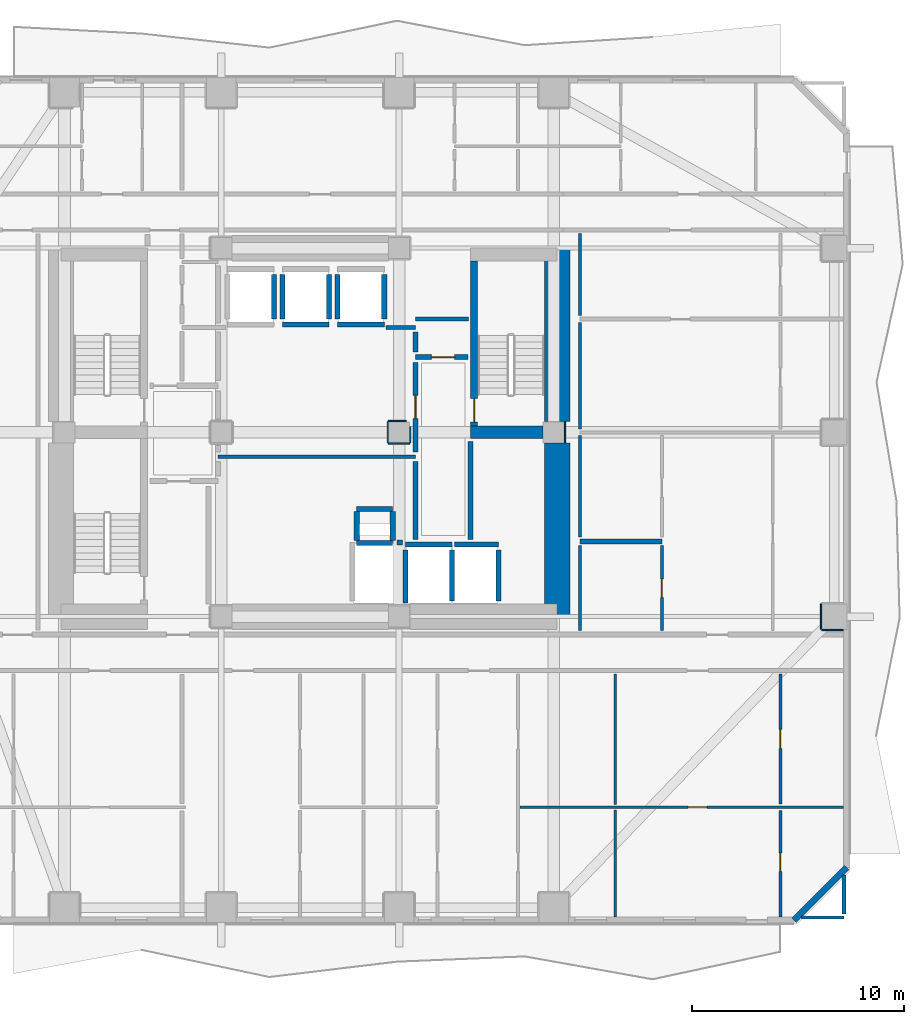
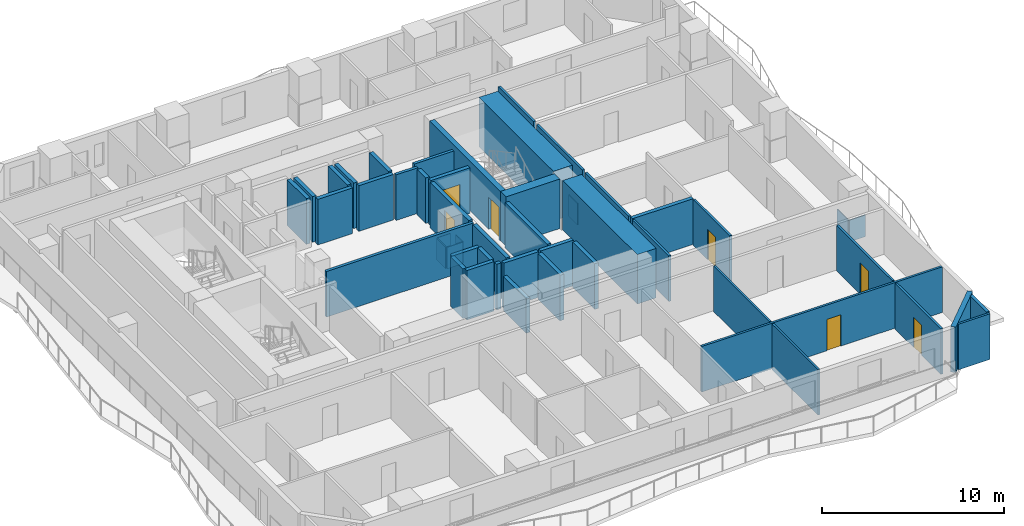
# One storey, part 4 of 10: 50 walls, 7 doors, 7 openings.
"""IFC4 building model written with IfcOpenShell, lengths in metres."""

from ifc_helpers import new_model, si_unit, direction, frame, frame_2d, origin, place, context, subcontext, project, spatial, rectangle, extrude, material, layer, layer_set, type_object, element, fill, save


model = new_model("IFC4")

# Units and contexts
model_context = context("Model", 3, precision=1e-05, world=origin(), true_north=direction((0.0, 1.0)))
body_context = subcontext(model_context, "Body", "Model", "MODEL_VIEW")
ifc_project = project(units=[si_unit("LENGTHUNIT", "METRE"), si_unit("AREAUNIT", "SQUARE_METRE"), si_unit("VOLUMEUNIT", "CUBIC_METRE"), si_unit("PLANEANGLEUNIT", "RADIAN"), si_unit("MASSUNIT", "GRAM", prefix="KILO")], contexts=[model_context])

# Site, building, storey
site_placement = place(None, origin())
site = spatial("IfcSite", under=ifc_project, at=site_placement, CompositionType="ELEMENT")
building_placement = place(site_placement, origin())
building = spatial("IfcBuilding", under=site, at=building_placement, Name="Solanera Arch Residences", CompositionType="ELEMENT")
storey_placement = place(building_placement, frame((0.0, 0.0, 45.239990234375)))
storey = spatial("IfcBuildingStorey", under=building, at=storey_placement, Name="L12", CompositionType="ELEMENT", Elevation=45.239990234375)

# Walls
ifc_material_1 = material(Name="Fire-Rated Gypsum Stud Partition", Category="gypsum")
ifc_layer_1 = layer(ifc_material_1, 0.06005859375)
ifc_layer_set_1 = layer_set([ifc_layer_1], Name="Fire-Rated Gypsum Stud Partition")
wall_type_1 = type_object("IfcWallType", Name="Column Acoustic Furring Wall 60", PredefinedType="PARTITIONING", material=ifc_layer_set_1)
wall_1_placement = place(storey_placement, frame((37.031982421875, 30.2099609375, 0.0), z_axis=(0.0, 0.0, 1.0), x_axis=(0.0, 1.0, 0.0)))
element("IfcWall", 1, at=wall_1_placement, inside=storey, type_object=wall_type_1, Name="L12 Column Furring 6E", PredefinedType="PARTITIONING", context=body_context, shape_type="SweptSolid", body=[
    extrude(rectangle(XDim=0.97998046875, YDim=0.06005859375, at=frame_2d((0.489990234375, 0.0))), origin(), (0.0, 0.0, 1.0), 1.449951171875),
])
wall_2_placement = place(storey_placement, frame((28.699951171875, 30.16796875, 0.0), z_axis=(0.0, 0.0, 1.0), x_axis=(1.0, 0.0, 0.0)))
element("IfcWall", 2, at=wall_2_placement, inside=storey, type_object=wall_type_1, Name="L12 Column Furring 8S", PredefinedType="PARTITIONING", context=body_context, shape_type="SweptSolid", body=[
    extrude(rectangle(XDim=1.0, YDim=0.06005859375, at=frame_2d((0.5, 0.0))), origin(), (0.0, 0.0, 1.0), 1.449951171875),
])
wall_3_placement = place(storey_placement, frame((28.699951171875, 31.23193359375, 0.0), z_axis=(0.0, 0.0, 1.0), x_axis=(1.0, 0.0, 0.0)))
element("IfcWall", 3, at=wall_3_placement, inside=storey, type_object=wall_type_1, Name="L12 Column Furring 8N", PredefinedType="PARTITIONING", context=body_context, shape_type="SweptSolid", body=[
    extrude(rectangle(XDim=0.841064453125, YDim=0.06005859375, at=frame_2d((0.42041015625, 0.0))), origin(), (0.0, 0.0, 1.0), 1.449951171875),
])
wall_4_placement = place(storey_placement, frame((28.66796875, 30.199951171875, 0.0), z_axis=(0.0, 0.0, 1.0), x_axis=(0.0, 1.0, 0.0)))
element("IfcWall", 4, at=wall_4_placement, inside=storey, type_object=wall_type_1, Name="L12 Column Furring 8W", PredefinedType="PARTITIONING", context=body_context, shape_type="SweptSolid", body=[
    extrude(rectangle(XDim=1.0, YDim=0.06005859375, at=frame_2d((0.5, 0.0))), origin(), (0.0, 0.0, 1.0), 1.449951171875),
])
wall_5_placement = place(storey_placement, frame((29.73193359375, 30.199951171875, 0.0), z_axis=(0.0, 0.0, 1.0), x_axis=(0.0, 1.0, 0.0)))
element("IfcWall", 5, at=wall_5_placement, inside=storey, type_object=wall_type_1, Name="L12 Column Furring 8E", PredefinedType="PARTITIONING", context=body_context, shape_type="SweptSolid", body=[
    extrude(rectangle(XDim=0.77197265625, YDim=0.06005859375, at=frame_2d((0.385986328125, 0.0))), origin(), (0.0, 0.0, 1.0), 1.449951171875),
])
wall_6_placement = place(storey_placement, frame((49.14990234375, 21.367919921875, 0.0), z_axis=(0.0, 0.0, 1.0), x_axis=(1.0, 0.0, 0.0)))
element("IfcWall", 6, at=wall_6_placement, inside=storey, type_object=wall_type_1, Name="L12 Column Furring 18S", PredefinedType="PARTITIONING", context=body_context, shape_type="SweptSolid", body=[
    extrude(rectangle(XDim=1.02001953125, YDim=0.06005859375, at=frame_2d((0.510009765625, 0.0))), origin(), (0.0, 0.0, 1.0), 1.449951171875),
])
wall_7_placement = place(storey_placement, frame((49.117919921875, 21.39990234375, 0.0), z_axis=(0.0, 0.0, 1.0), x_axis=(0.0, 1.0, 0.0)))
element("IfcWall", 7, at=wall_7_placement, inside=storey, type_object=wall_type_1, Name="L12 Column Furring 18W", PredefinedType="PARTITIONING", context=body_context, shape_type="SweptSolid", body=[
    extrude(rectangle(XDim=1.2001953125, YDim=0.06005859375, at=frame_2d((0.60009765625, 0.0))), origin(), (0.0, 0.0, 1.0), 1.449951171875),
])
ifc_material_2 = material(Name="Concrete C55/67 (f'c = 60 MPa)", Category="concrete")
ifc_layer_2 = layer(ifc_material_2, 1.199951171875)
ifc_layer_set_2 = layer_set([ifc_layer_2], Name="Concrete C55/67 (f'c = 60 MPa)")
wall_type_2 = type_object("IfcWallType", Name="Core Shear Wall CW-1200", PredefinedType="SHEAR", material=ifc_layer_set_2)
wall_8_placement = place(storey_placement, frame((36.659912109375, 22.0, 0.0), z_axis=(0.0, 0.0, 1.0), x_axis=(0.0, 1.0, 0.0)))
element("IfcWall", 8, at=wall_8_placement, inside=storey, type_object=wall_type_2, Name="L12 East Core South Shear Wall", PredefinedType="SHEAR", context=body_context, shape_type="SweptSolid", body=[
    extrude(rectangle(XDim=8.195068359375, YDim=1.199951171875, at=frame_2d((4.09765625, 0.0))), origin(), (0.0, 0.0, 1.0), 3.320068359375),
])
wall_9_placement = place(storey_placement, frame((36.659912109375, 31.205078125, 0.0), z_axis=(0.0, 0.0, 1.0), x_axis=(0.0, 1.0, 0.0)))
element("IfcWall", 9, at=wall_9_placement, inside=storey, type_object=wall_type_2, Name="L12 East Core North Shear Wall", PredefinedType="SHEAR", context=body_context, shape_type="SweptSolid", body=[
    extrude(rectangle(XDim=8.19482421875, YDim=1.199951171875, at=frame_2d((4.097412109375, 0.0))), origin(), (0.0, 0.0, 1.0), 3.320068359375),
])

# Wall, opening, door
ifc_material_3 = material(Name="Concrete C40/50 (f'c = 45 MPa)", Category="concrete")
ifc_layer_3 = layer(ifc_material_3, 0.320068359375)
ifc_layer_set_3 = layer_set([ifc_layer_3], Name="Concrete C40/50 (f'c = 45 MPa)")
wall_type_3 = type_object("IfcWallType", Name="Core Shear Wall CW-320", PredefinedType="SHEAR", material=ifc_layer_set_3)
wall_10_placement = place(storey_placement, frame((32.739990234375, 31.0, 0.0), z_axis=(0.0, 0.0, 1.0), x_axis=(0.0, 1.0, 0.0)))
wall_10 = element("IfcWall", 10, at=wall_10_placement, inside=storey, type_object=wall_type_3, Name="L12 Stair ST-T2 West Shear Wall", PredefinedType="SHEAR", context=body_context, shape_type="SweptSolid", body=[
    extrude(rectangle(XDim=7.800048828125, YDim=0.320068359375, at=frame_2d((3.89990234375, 0.0))), origin(), (0.0, 0.0, 1.0), 3.320068359375),
])
opening_1_placement = place(wall_10_placement, frame((0.18994140625, 0.0, 0.0)))
opening_1 = element("IfcOpeningElement", 11, at=opening_1_placement, cuts=wall_10, Name="Opening DF-01", PredefinedType="OPENING", context=body_context, shape_type="SweptSolid", body=[
    extrude(rectangle(XDim=1.10009765625, YDim=2.14990234375, at=frame_2d((0.550048828125, 1.074951171875))), frame((0.0, 0.169921875, 0.0), z_axis=(0.0, -1.0, 0.0), x_axis=(1.0, 0.0, 0.0)), (0.0, 0.0, 1.0), 0.3401),
])
ifc_material_4 = material(Name="Fire-Rated Architectural Hardwood", Category="wood")
door_type_1 = type_object("IfcDoorType", Name="Stair Exit Fire Door DF-01", OperationType="NOTDEFINED", PredefinedType="DOOR", material=ifc_material_4)
door_1_placement = place(opening_1_placement, origin())
door_1 = element("IfcDoor", 12, at=door_1_placement, inside=storey, type_object=door_type_1, Name="DR-L12-STAIR-ST-T2", OperationType="SINGLE_SWING_LEFT", OverallHeight=2.14990234375, OverallWidth=1.10009765625, PredefinedType="DOOR", context=body_context, shape_type="SweptSolid", body=[
    extrude(rectangle(XDim=1.10009765625, YDim=2.14990234375, at=frame_2d((0.550048828125, 1.074951171875))), frame((0.0, 0.02490234375, 0.0), z_axis=(0.0, -1.0, 0.0), x_axis=(1.0, 0.0, 0.0)), (0.0, 0.0, 1.0), 0.050048828125),
])
fill(opening_1, door_1)

# Walls
ifc_material_5 = material(Name="Concrete C40/50 (f'c = 45 MPa)", Category="concrete")
ifc_layer_4 = layer(ifc_material_5, 0.60009765625)
ifc_layer_set_4 = layer_set([ifc_layer_4], Name="Concrete C40/50 (f'c = 45 MPa)")
wall_type_4 = type_object("IfcWallType", Name="Core Shear Wall CW-600", PredefinedType="SHEAR", material=ifc_layer_set_4)
wall_11_placement = place(storey_placement, frame((32.580078125, 30.699951171875, 0.0), z_axis=(0.0, 0.0, 1.0), x_axis=(1.0, 0.0, 0.0)))
element("IfcWall", 13, at=wall_11_placement, inside=storey, type_object=wall_type_4, Name="L12 East Stair Far-Landing Shear Wall", PredefinedType="SHEAR", context=body_context, shape_type="SweptSolid", body=[
    extrude(rectangle(XDim=3.4150390625, YDim=0.60009765625, at=frame_2d((1.70751953125, 0.0))), origin(), (0.0, 0.0, 1.0), 3.320068359375),
])
ifc_material_6 = material(Name="Autoclaved Aerated Concrete Blockwork", Category="masonry")
ifc_layer_5 = layer(ifc_material_6, 0.179931640625)
ifc_layer_set_5 = layer_set([ifc_layer_5], Name="Autoclaved Aerated Concrete Blockwork")
wall_type_5 = type_object("IfcWallType", Name="Corridor Fire Partition 180", PredefinedType="PARTITIONING", material=ifc_layer_set_5)
wall_12_placement = place(storey_placement, frame((20.64990234375, 29.550048828125, 0.0), z_axis=(0.0, 0.0, 1.0), x_axis=(1.0, 0.0, 0.0)))
element("IfcWall", 14, at=wall_12_placement, inside=storey, type_object=wall_type_5, Name="L12 Interior Partition H8", PredefinedType="PARTITIONING", context=body_context, shape_type="SweptSolid", body=[
    extrude(rectangle(XDim=9.3251953125, YDim=0.179931640625, at=frame_2d((4.66259765625, 0.0))), origin(), (0.0, 0.0, 1.0), 3.06005859375),
])
wall_13_placement = place(storey_placement, frame((28.593017578125, 35.64990234375, 0.0), z_axis=(0.0, 0.0, 1.0), x_axis=(1.0, 0.0, 0.0)))
element("IfcWall", 15, at=wall_13_placement, inside=storey, type_object=wall_type_5, Name="L12 Interior Partition H9 2", PredefinedType="PARTITIONING", context=body_context, shape_type="SweptSolid", body=[
    extrude(rectangle(XDim=1.382080078125, YDim=0.179931640625, at=frame_2d((0.69091796875, 0.0))), origin(), (0.0, 0.0, 1.0), 3.06005859375),
])
wall_14_placement = place(storey_placement, frame((29.97509765625, 36.050048828125, 0.0), z_axis=(0.0, 0.0, 1.0), x_axis=(1.0, 0.0, 0.0)))
element("IfcWall", 16, at=wall_14_placement, inside=storey, type_object=wall_type_5, Name="L12 Interior Partition H10", PredefinedType="PARTITIONING", context=body_context, shape_type="SweptSolid", body=[
    extrude(rectangle(XDim=2.5048828125, YDim=0.179931640625, at=frame_2d((1.25244140625, 0.0))), origin(), (0.0, 0.0, 1.0), 3.06005859375),
])
wall_15_placement = place(storey_placement, frame((50.199951171875, 7.968017578125, 0.0), z_axis=(0.0, 0.0, 1.0), x_axis=(0.0, 1.0, 0.0)))
element("IfcWall", 17, at=wall_15_placement, inside=storey, type_object=wall_type_5, Name="L12 Interior Partition V11 1", PredefinedType="PARTITIONING", context=body_context, shape_type="SweptSolid", body=[
    extrude(rectangle(XDim=1.8330078125, YDim=0.179931640625, at=frame_2d((0.91650390625, 0.0))), origin(), (0.0, 0.0, 1.0), 3.06005859375),
])
ifc_material_7 = material(Name="Precast Concrete C35/45", Category="concrete")
ifc_layer_6 = layer(ifc_material_7, 0.300048828125)
ifc_layer_set_6 = layer_set([ifc_layer_6], Name="Precast Concrete C35/45")
wall_type_6 = type_object("IfcWallType", Name="Exterior Wall Precast Masonry-Frame 300", PredefinedType="STANDARD", material=ifc_layer_set_6)
wall_16_placement = place(storey_placement, frame((50.3349609375, 10.1650390625, 0.0), z_axis=(0.0, 0.0, 1.0), x_axis=(-0.707106781187, -0.707106781187, 0.0)))
element("IfcWall", 18, at=wall_16_placement, inside=storey, type_object=wall_type_6, Name="L12 Tower Exterior Precast Masonry-Frame Wall CH5", PredefinedType="STANDARD", context=body_context, shape_type="SweptSolid", body=[
    extrude(rectangle(XDim=3.53564453125, YDim=0.300048828125, at=frame_2d((1.767822265625, 0.0))), origin(), (0.0, 0.0, 1.0), 3.06005859375),
])
ifc_material_8 = material(Name="Concrete C40/50 (f'c = 45 MPa)", Category="concrete")
ifc_layer_7 = layer(ifc_material_8, 0.239990234375)
ifc_layer_set_7 = layer_set([ifc_layer_7], Name="Concrete C40/50 (f'c = 45 MPa)")
wall_type_7 = type_object("IfcWallType", Name="Ramp Bearing Shear Wall RW-240", PredefinedType="SHEAR", material=ifc_layer_set_7)
for number, where, z_axis, x_axis, name in (
    (19, (27.199951171875, 25.47998046875, 0.0), (0.0, 0.0, 1.0), (1.0, 0.0, 0.0), "L12 Core MEP Riser South Shaft Wall"),
    (20, (27.199951171875, 27.080078125, 0.0), (0.0, 0.0, 1.0), (1.0, 0.0, 0.0), "L12 Core MEP Riser North Shaft Wall"),
):
    element("IfcWall", number, at=place(storey_placement, frame(where, z_axis=z_axis, x_axis=x_axis)), inside=storey, type_object=wall_type_7, Name=name, PredefinedType="SHEAR", context=body_context, shape_type="SweptSolid", body=[
        extrude(rectangle(XDim=1.699951171875, YDim=0.239990234375, at=frame_2d((0.85009765625, 0.0))), origin(), (0.0, 0.0, 1.0), 3.320068359375),
    ])
for number, where, z_axis, x_axis, name in (
    (21, (27.199951171875, 25.60009765625, 0.0), (0.0, 0.0, 1.0), (0.0, 1.0, 0.0), "L12 Core MEP Riser West Shaft Wall"),
    (22, (28.89990234375, 25.60009765625, 0.0), (0.0, 0.0, 1.0), (0.0, 1.0, 0.0), "L12 Core MEP Riser East Shaft Wall"),
):
    element("IfcWall", number, at=place(storey_placement, frame(where, z_axis=z_axis, x_axis=x_axis)), inside=storey, type_object=wall_type_7, Name=name, PredefinedType="SHEAR", context=body_context, shape_type="SweptSolid", body=[
        extrude(rectangle(XDim=1.35986328125, YDim=0.239990234375, at=frame_2d((0.679931640625, 0.0))), origin(), (0.0, 0.0, 1.0), 3.320068359375),
    ])
ifc_material_9 = material(Name="Autoclaved Aerated Concrete Blockwork", Category="masonry")
ifc_layer_8 = layer(ifc_material_9, 0.239990234375)
ifc_layer_set_8 = layer_set([ifc_layer_8], Name="Autoclaved Aerated Concrete Blockwork")
wall_type_8 = type_object("IfcWallType", Name="Shaft Wall Fire-Rated 240", PredefinedType="PARTITIONING", material=ifc_layer_set_8)
wall_17_placement = place(storey_placement, frame((23.300048828125, 36.048095703125, 0.0), z_axis=(0.0, 0.0, 1.0), x_axis=(0.0, 1.0, 0.0)))
element("IfcWall", 23, at=wall_17_placement, inside=storey, type_object=wall_type_8, Name="L12 Lift PL-L1 Hoistway Wall E", PredefinedType="PARTITIONING", context=body_context, shape_type="SweptSolid", body=[
    extrude(rectangle(XDim=2.10400390625, YDim=0.239990234375, at=frame_2d((1.052001953125, 0.0))), origin(), (0.0, 0.0, 1.0), 3.06005859375),
])
wall_18_placement = place(storey_placement, frame((23.699951171875, 35.800048828125, 0.0), z_axis=(0.0, 0.0, 1.0), x_axis=(1.0, 0.0, 0.0)))
element("IfcWall", 24, at=wall_18_placement, inside=storey, type_object=wall_type_8, Name="L12 Lift PL-L2 Hoistway Wall S", PredefinedType="PARTITIONING", context=body_context, shape_type="SweptSolid", body=[
    extrude(rectangle(XDim=2.199951171875, YDim=0.239990234375, at=frame_2d((1.10009765625, 0.0))), origin(), (0.0, 0.0, 1.0), 3.06005859375),
])
for number, where, z_axis, x_axis, name in (
    (25, (23.699951171875, 36.048095703125, 0.0), (0.0, 0.0, 1.0), (0.0, 1.0, 0.0), "L12 Lift PL-L2 Hoistway Wall W"),
    (26, (25.89990234375, 36.048095703125, 0.0), (0.0, 0.0, 1.0), (0.0, 1.0, 0.0), "L12 Lift PL-L2 Hoistway Wall E"),
):
    element("IfcWall", number, at=place(storey_placement, frame(where, z_axis=z_axis, x_axis=x_axis)), inside=storey, type_object=wall_type_8, Name=name, PredefinedType="PARTITIONING", context=body_context, shape_type="SweptSolid", body=[
        extrude(rectangle(XDim=2.10400390625, YDim=0.239990234375, at=frame_2d((1.052001953125, 0.0))), origin(), (0.0, 0.0, 1.0), 3.06005859375),
    ])
wall_19_placement = place(storey_placement, frame((26.300048828125, 35.800048828125, 0.0), z_axis=(0.0, 0.0, 1.0), x_axis=(1.0, 0.0, 0.0)))
element("IfcWall", 27, at=wall_19_placement, inside=storey, type_object=wall_type_8, Name="L12 Lift PL-L3 Hoistway Wall S", PredefinedType="PARTITIONING", context=body_context, shape_type="SweptSolid", body=[
    extrude(rectangle(XDim=2.199951171875, YDim=0.239990234375, at=frame_2d((1.10009765625, 0.0))), origin(), (0.0, 0.0, 1.0), 3.06005859375),
])
for number, where, z_axis, x_axis, name in (
    (28, (26.300048828125, 36.048095703125, 0.0), (0.0, 0.0, 1.0), (0.0, 1.0, 0.0), "L12 Lift PL-L3 Hoistway Wall W"),
    (29, (28.5, 36.048095703125, 0.0), (0.0, 0.0, 1.0), (0.0, 1.0, 0.0), "L12 Lift PL-L3 Hoistway Wall E"),
):
    element("IfcWall", number, at=place(storey_placement, frame(where, z_axis=z_axis, x_axis=x_axis)), inside=storey, type_object=wall_type_8, Name=name, PredefinedType="PARTITIONING", context=body_context, shape_type="SweptSolid", body=[
        extrude(rectangle(XDim=2.10400390625, YDim=0.239990234375, at=frame_2d((1.052001953125, 0.0))), origin(), (0.0, 0.0, 1.0), 3.06005859375),
    ])
wall_20_placement = place(storey_placement, frame((29.5, 25.39990234375, 0.0), z_axis=(0.0, 0.0, 1.0), x_axis=(1.0, 0.0, 0.0)))
element("IfcWall", 30, at=wall_20_placement, inside=storey, type_object=wall_type_8, Name="L12 Lift FFL-1 Hoistway Wall N", PredefinedType="PARTITIONING", context=body_context, shape_type="SweptSolid", body=[
    extrude(rectangle(XDim=2.199951171875, YDim=0.239990234375, at=frame_2d((1.10009765625, 0.0))), origin(), (0.0, 0.0, 1.0), 3.06005859375),
])
wall_21_placement = place(storey_placement, frame((29.5, 22.632080078125, 0.0), z_axis=(0.0, 0.0, 1.0), x_axis=(0.0, 1.0, 0.0)))
element("IfcWall", 31, at=wall_21_placement, inside=storey, type_object=wall_type_8, Name="L12 Lift FFL-1 Hoistway Wall W", PredefinedType="PARTITIONING", context=body_context, shape_type="SweptSolid", body=[
    extrude(rectangle(XDim=2.52001953125, YDim=0.239990234375, at=frame_2d((1.260009765625, 0.0))), origin(), (0.0, 0.0, 1.0), 2.294921875),
])
wall_22_placement = place(storey_placement, frame((31.699951171875, 22.72998046875, 0.0), z_axis=(0.0, 0.0, 1.0), x_axis=(0.0, 1.0, 0.0)))
element("IfcWall", 32, at=wall_22_placement, inside=storey, type_object=wall_type_8, Name="L12 Lift FFL-1 Hoistway Wall E", PredefinedType="PARTITIONING", context=body_context, shape_type="SweptSolid", body=[
    extrude(rectangle(XDim=2.422119140625, YDim=0.239990234375, at=frame_2d((1.2109375, 0.0))), origin(), (0.0, 0.0, 1.0), 3.06005859375),
])
wall_23_placement = place(storey_placement, frame((31.827880859375, 25.39990234375, 0.0), z_axis=(0.0, 0.0, 1.0), x_axis=(1.0, 0.0, 0.0)))
element("IfcWall", 33, at=wall_23_placement, inside=storey, type_object=wall_type_8, Name="L12 Lift FFL-2 Hoistway Wall N", PredefinedType="PARTITIONING", context=body_context, shape_type="SweptSolid", body=[
    extrude(rectangle(XDim=2.072021484375, YDim=0.239990234375, at=frame_2d((1.0361328125, 0.0))), origin(), (0.0, 0.0, 1.0), 3.06005859375),
])
wall_24_placement = place(storey_placement, frame((33.89990234375, 22.72998046875, 0.0), z_axis=(0.0, 0.0, 1.0), x_axis=(0.0, 1.0, 0.0)))
element("IfcWall", 34, at=wall_24_placement, inside=storey, type_object=wall_type_8, Name="L12 Lift FFL-2 Hoistway Wall E", PredefinedType="PARTITIONING", context=body_context, shape_type="SweptSolid", body=[
    extrude(rectangle(XDim=2.422119140625, YDim=0.239990234375, at=frame_2d((1.2109375, 0.0))), origin(), (0.0, 0.0, 1.0), 3.06005859375),
])
wall_25_placement = place(storey_placement, frame((29.10302734375, 25.5, 0.0), z_axis=(0.0, 0.0, 1.0), x_axis=(1.0, 0.0, 0.0)))
element("IfcWall", 35, at=wall_25_placement, inside=storey, type_object=wall_type_8, Name="L12 Lift SVL-1 Hoistway Wall N", PredefinedType="PARTITIONING", context=body_context, shape_type="SweptSolid", body=[
    extrude(rectangle(XDim=0.26904296875, YDim=0.239990234375, at=frame_2d((0.134521484375, 0.0))), origin(), (0.0, 0.0, 1.0), 3.06005859375),
])
wall_26_placement = place(storey_placement, frame((37.75, 25.550048828125, 0.0), z_axis=(0.0, 0.0, 1.0), x_axis=(1.0, 0.0, 0.0)))
element("IfcWall", 36, at=wall_26_placement, inside=storey, type_object=wall_type_8, Name="L12 Interior Partition H3", PredefinedType="PARTITIONING", context=body_context, shape_type="SweptSolid", body=[
    extrude(rectangle(XDim=3.860107421875, YDim=0.239990234375, at=frame_2d((1.93017578125, 0.0))), origin(), (0.0, 0.0, 1.0), 3.06005859375),
])

# Wall, opening, door
wall_27_placement = place(storey_placement, frame((29.97509765625, 34.25, 0.0), z_axis=(0.0, 0.0, 1.0), x_axis=(1.0, 0.0, 0.0)))
wall_27 = element("IfcWall", 37, at=wall_27_placement, inside=storey, type_object=wall_type_8, Name="L12 Interior Partition H6", PredefinedType="PARTITIONING", context=body_context, shape_type="SweptSolid", body=[
    extrude(rectangle(XDim=2.474853515625, YDim=0.239990234375, at=frame_2d((1.2373046875, 0.0))), origin(), (0.0, 0.0, 1.0), 3.06005859375),
])
opening_2_placement = place(wall_27_placement, frame((0.751953125, 0.0, 0.0)))
opening_2 = element("IfcOpeningElement", 38, at=opening_2_placement, cuts=wall_27, Name="Opening DF-02", PredefinedType="OPENING", context=body_context, shape_type="SweptSolid", body=[
    extrude(rectangle(XDim=1.10009765625, YDim=2.14990234375, at=frame_2d((0.550048828125, 1.074951171875))), frame((0.0, 0.1298828125, 0.0), z_axis=(0.0, -1.0, 0.0), x_axis=(1.0, 0.0, 0.0)), (0.0, 0.0, 1.0), 0.26),
])
ifc_material_10 = material(Name="Fire-Rated Architectural Hardwood", Category="wood")
door_type_2 = type_object("IfcDoorType", Name="Firefighting Lobby Fire Door DF-02", OperationType="NOTDEFINED", PredefinedType="DOOR", material=ifc_material_10)
door_2_placement = place(opening_2_placement, origin())
door_2 = element("IfcDoor", 39, at=door_2_placement, inside=storey, type_object=door_type_2, Name="DR-L12-IN-007", OperationType="SINGLE_SWING_RIGHT", OverallHeight=2.14990234375, OverallWidth=1.10009765625, PredefinedType="DOOR", context=body_context, shape_type="SweptSolid", body=[
    extrude(rectangle(XDim=1.10009765625, YDim=2.14990234375, at=frame_2d((0.550048828125, 1.074951171875))), frame((0.0, 0.02490234375, 0.0), z_axis=(0.0, -1.0, 0.0), x_axis=(1.0, 0.0, 0.0)), (0.0, 0.0, 1.0), 0.050048828125),
])
fill(opening_2, door_2)

# Wall
wall_28_placement = place(storey_placement, frame((29.97509765625, 25.64794921875, 0.0), z_axis=(0.0, 0.0, 1.0), x_axis=(0.0, 1.0, 0.0)))
element("IfcWall", 40, at=wall_28_placement, inside=storey, type_object=wall_type_8, Name="L12 Interior Partition V4 1", PredefinedType="PARTITIONING", context=body_context, shape_type="SweptSolid", body=[
    extrude(rectangle(XDim=3.68408203125, YDim=0.239990234375, at=frame_2d((1.842041015625, 0.0))), origin(), (0.0, 0.0, 1.0), 3.06005859375),
])

# Wall, opening, door
wall_29_placement = place(storey_placement, frame((29.97509765625, 29.76806640625, 0.0), z_axis=(0.0, 0.0, 1.0), x_axis=(0.0, 1.0, 0.0)))
wall_29 = element("IfcWall", 41, at=wall_29_placement, inside=storey, type_object=wall_type_8, Name="L12 Interior Partition V4 2", PredefinedType="PARTITIONING", context=body_context, shape_type="SweptSolid", body=[
    extrude(rectangle(XDim=4.23388671875, YDim=0.239990234375, at=frame_2d((2.116943359375, 0.0))), origin(), (0.0, 0.0, 1.0), 3.06005859375),
])
opening_3_placement = place(wall_29_placement, frame((1.58203125, 0.0, 0.0)))
opening_3 = element("IfcOpeningElement", 42, at=opening_3_placement, cuts=wall_29, Name="Opening DF-02", PredefinedType="OPENING", context=body_context, shape_type="SweptSolid", body=[
    extrude(rectangle(XDim=1.10009765625, YDim=2.14990234375, at=frame_2d((0.550048828125, 1.074951171875))), frame((0.0, 0.1298828125, 0.0), z_axis=(0.0, -1.0, 0.0), x_axis=(1.0, 0.0, 0.0)), (0.0, 0.0, 1.0), 0.26),
])
door_3_placement = place(opening_3_placement, origin())
door_3 = element("IfcDoor", 43, at=door_3_placement, inside=storey, type_object=door_type_2, Name="DR-L12-IN-006", OperationType="SINGLE_SWING_LEFT", OverallHeight=2.14990234375, OverallWidth=1.10009765625, PredefinedType="DOOR", context=body_context, shape_type="SweptSolid", body=[
    extrude(rectangle(XDim=1.10009765625, YDim=2.14990234375, at=frame_2d((0.550048828125, 1.074951171875))), frame((0.0, 0.02490234375, 0.0), z_axis=(0.0, -1.0, 0.0), x_axis=(1.0, 0.0, 0.0)), (0.0, 0.0, 1.0), 0.050048828125),
])
fill(opening_3, door_3)

# Walls
wall_30_placement = place(storey_placement, frame((29.97509765625, 34.498046875, 0.0), z_axis=(0.0, 0.0, 1.0), x_axis=(0.0, 1.0, 0.0)))
element("IfcWall", 44, at=wall_30_placement, inside=storey, type_object=wall_type_8, Name="L12 Interior Partition V4 3", PredefinedType="PARTITIONING", context=body_context, shape_type="SweptSolid", body=[
    extrude(rectangle(XDim=0.933837890625, YDim=0.239990234375, at=frame_2d((0.466796875, 0.0))), origin(), (0.0, 0.0, 1.0), 3.06005859375),
])
wall_31_placement = place(storey_placement, frame((32.580078125, 25.64794921875, 0.0), z_axis=(0.0, 0.0, 1.0), x_axis=(0.0, 1.0, 0.0)))
element("IfcWall", 45, at=wall_31_placement, inside=storey, type_object=wall_type_8, Name="L12 Interior Partition V5", PredefinedType="PARTITIONING", context=body_context, shape_type="SweptSolid", body=[
    extrude(rectangle(XDim=4.6220703125, YDim=0.239990234375, at=frame_2d((2.31103515625, 0.0))), origin(), (0.0, 0.0, 1.0), 3.06005859375),
])
ifc_material_11 = material(Name="Fire-Rated Gypsum Stud Partition", Category="gypsum")
ifc_layer_9 = layer(ifc_material_11, 0.1201171875)
ifc_layer_set_9 = layer_set([ifc_layer_9], Name="Fire-Rated Gypsum Stud Partition")
wall_type_9 = type_object("IfcWallType", Name="Unit Drywall Partition 120", PredefinedType="PARTITIONING", material=ifc_layer_set_9)
wall_32_placement = place(storey_placement, frame((39.39599609375, 7.826904296875, 0.0), z_axis=(0.0, 0.0, 1.0), x_axis=(0.0, 1.0, 0.0)))
element("IfcWall", 46, at=wall_32_placement, inside=storey, type_object=wall_type_9, Name="L12 Interior Partition V28 1", PredefinedType="PARTITIONING", context=body_context, shape_type="SweptSolid", body=[
    extrude(rectangle(XDim=5.03515625, YDim=0.1201171875, at=frame_2d((2.517578125, 0.0))), origin(), (0.0, 0.0, 1.0), 3.06005859375),
])
wall_33_placement = place(storey_placement, frame((39.39599609375, 13.137939453125, 0.0), z_axis=(0.0, 0.0, 1.0), x_axis=(0.0, 1.0, 0.0)))
element("IfcWall", 47, at=wall_33_placement, inside=storey, type_object=wall_type_9, Name="L12 Interior Partition V28 2", PredefinedType="PARTITIONING", context=body_context, shape_type="SweptSolid", body=[
    extrude(rectangle(XDim=6.154052734375, YDim=0.1201171875, at=frame_2d((3.0771484375, 0.0))), origin(), (0.0, 0.0, 1.0), 3.06005859375),
])
ifc_material_12 = material(Name="Autoclaved Aerated Concrete Blockwork", Category="masonry")
ifc_layer_10 = layer(ifc_material_12, 0.139892578125)
ifc_layer_set_10 = layer_set([ifc_layer_10], Name="Autoclaved Aerated Concrete Blockwork")
wall_type_10 = type_object("IfcWallType", Name="Wet-Room Partition 140", PredefinedType="PARTITIONING", material=ifc_layer_set_10)
wall_34_placement = place(storey_placement, frame((48.198974609375, 7.800048828125, 0.0), z_axis=(0.0, 0.0, 1.0), x_axis=(1.0, 0.0, 0.0)))
element("IfcWall", 48, at=wall_34_placement, inside=storey, type_object=wall_type_10, Name="L12 Interior Partition H14 2", PredefinedType="PARTITIONING", context=body_context, shape_type="SweptSolid", body=[
    extrude(rectangle(XDim=2.0009765625, YDim=0.139892578125, at=frame_2d((1.00048828125, 0.0))), origin(), (0.0, 0.0, 1.0), 3.06005859375),
])

# Wall, opening, door
wall_35_placement = place(storey_placement, frame((34.919921875, 13.0, 0.0), z_axis=(0.0, 0.0, 1.0), x_axis=(1.0, 0.0, 0.0)))
wall_35 = element("IfcWall", 49, at=wall_35_placement, inside=storey, type_object=wall_type_10, Name="L12 Interior Partition H17", PredefinedType="PARTITIONING", context=body_context, shape_type="SweptSolid", body=[
    extrude(rectangle(XDim=15.253173828125, YDim=0.139892578125, at=frame_2d((7.62646484375, 0.0))), origin(), (0.0, 0.0, 1.0), 3.06005859375),
])
opening_4_placement = place(wall_35_placement, frame((7.927978515625, 0.0, 0.0)))
opening_4 = element("IfcOpeningElement", 50, at=opening_4_placement, cuts=wall_35, Name="Opening DI-02", PredefinedType="OPENING", context=body_context, shape_type="SweptSolid", body=[
    extrude(rectangle(XDim=0.89990234375, YDim=2.10009765625, at=frame_2d((0.449951171875, 1.050048828125))), frame((0.0, 0.079833984375, 0.0), z_axis=(0.0, -1.0, 0.0), x_axis=(1.0, 0.0, 0.0)), (0.0, 0.0, 1.0), 0.1599),
])
ifc_material_13 = material(Name="Fire-Rated Architectural Hardwood", Category="wood")
door_type_3 = type_object("IfcDoorType", Name="Suite Room Swing Door DI-02", OperationType="NOTDEFINED", PredefinedType="DOOR", material=ifc_material_13)
door_4_placement = place(opening_4_placement, origin())
door_4 = element("IfcDoor", 51, at=door_4_placement, inside=storey, type_object=door_type_3, Name="DR-L12-IN-026", OperationType="SINGLE_SWING_LEFT", OverallHeight=2.10009765625, OverallWidth=0.89990234375, PredefinedType="DOOR", context=body_context, shape_type="SweptSolid", body=[
    extrude(rectangle(XDim=0.89990234375, YDim=2.10009765625, at=frame_2d((0.449951171875, 1.050048828125))), frame((0.0, 0.02490234375, 0.0), z_axis=(0.0, -1.0, 0.0), x_axis=(1.0, 0.0, 0.0)), (0.0, 0.0, 1.0), 0.050048828125),
])
fill(opening_4, door_4)

# Walls
wall_36_placement = place(storey_placement, frame((37.75, 21.347900390625, 0.0), z_axis=(0.0, 0.0, 1.0), x_axis=(0.0, 1.0, 0.0)))
element("IfcWall", 52, at=wall_36_placement, inside=storey, type_object=wall_type_10, Name="L12 Interior Partition V22 1", PredefinedType="PARTITIONING", context=body_context, shape_type="SweptSolid", body=[
    extrude(rectangle(XDim=4.004150390625, YDim=0.139892578125, at=frame_2d((2.001953125, 0.0))), origin(), (0.0, 0.0, 1.0), 3.06005859375),
])
wall_37_placement = place(storey_placement, frame((37.75, 25.748046875, 0.0), z_axis=(0.0, 0.0, 1.0), x_axis=(0.0, 1.0, 0.0)))
element("IfcWall", 53, at=wall_37_placement, inside=storey, type_object=wall_type_10, Name="L12 Interior Partition V22 2", PredefinedType="PARTITIONING", context=body_context, shape_type="SweptSolid", body=[
    extrude(rectangle(XDim=4.803955078125, YDim=0.139892578125, at=frame_2d((2.40185546875, 0.0))), origin(), (0.0, 0.0, 1.0), 3.06005859375),
])
wall_38_placement = place(storey_placement, frame((37.75, 30.847900390625, 0.0), z_axis=(0.0, 0.0, 1.0), x_axis=(0.0, 1.0, 0.0)))
element("IfcWall", 54, at=wall_38_placement, inside=storey, type_object=wall_type_10, Name="L12 Interior Partition V22 3", PredefinedType="PARTITIONING", context=body_context, shape_type="SweptSolid", body=[
    extrude(rectangle(XDim=5.0341796875, YDim=0.139892578125, at=frame_2d((2.51708984375, 0.0))), origin(), (0.0, 0.0, 1.0), 3.06005859375),
])
wall_39_placement = place(storey_placement, frame((37.75, 36.218017578125, 0.0), z_axis=(0.0, 0.0, 1.0), x_axis=(0.0, 1.0, 0.0)))
element("IfcWall", 55, at=wall_39_placement, inside=storey, type_object=wall_type_10, Name="L12 Interior Partition V22 4", PredefinedType="PARTITIONING", context=body_context, shape_type="SweptSolid", body=[
    extrude(rectangle(XDim=3.864013671875, YDim=0.139892578125, at=frame_2d((1.93212890625, 0.0))), origin(), (0.0, 0.0, 1.0), 3.06005859375),
])

# Wall, opening, door
wall_40_placement = place(storey_placement, frame((41.610107421875, 21.347900390625, 0.0), z_axis=(0.0, 0.0, 1.0), x_axis=(0.0, 1.0, 0.0)))
wall_40 = element("IfcWall", 56, at=wall_40_placement, inside=storey, type_object=wall_type_10, Name="L12 Interior Partition V24 1", PredefinedType="PARTITIONING", context=body_context, shape_type="SweptSolid", body=[
    extrude(rectangle(XDim=4.004150390625, YDim=0.139892578125, at=frame_2d((2.001953125, 0.0))), origin(), (0.0, 0.0, 1.0), 3.06005859375),
])
opening_5_placement = place(wall_40_placement, frame((1.56005859375, 0.0, 0.0)))
opening_5 = element("IfcOpeningElement", 57, at=opening_5_placement, cuts=wall_40, Name="Opening DI-05", PredefinedType="OPENING", context=body_context, shape_type="SweptSolid", body=[
    extrude(rectangle(XDim=0.860107421875, YDim=2.02001953125, at=frame_2d((0.43017578125, 1.010009765625))), frame((0.0, 0.079833984375, 0.0), z_axis=(0.0, -1.0, 0.0), x_axis=(1.0, 0.0, 0.0)), (0.0, 0.0, 1.0), 0.1599),
])
ifc_material_14 = material(Name="Fire-Rated Architectural Hardwood", Category="wood")
door_type_4 = type_object("IfcDoorType", Name="Bathroom Swing Door DI-05", OperationType="NOTDEFINED", PredefinedType="DOOR", material=ifc_material_14)
door_5_placement = place(opening_5_placement, origin())
door_5 = element("IfcDoor", 58, at=door_5_placement, inside=storey, type_object=door_type_4, Name="DR-L12-IN-041", OperationType="SINGLE_SWING_RIGHT", OverallHeight=2.02001953125, OverallWidth=0.860107421875, PredefinedType="DOOR", context=body_context, shape_type="SweptSolid", body=[
    extrude(rectangle(XDim=0.860107421875, YDim=2.02001953125, at=frame_2d((0.43017578125, 1.010009765625))), frame((0.0, 0.02490234375, 0.0), z_axis=(0.0, -1.0, 0.0), x_axis=(1.0, 0.0, 0.0)), (0.0, 0.0, 1.0), 0.050048828125),
])
fill(opening_5, door_5)

wall_41_placement = place(storey_placement, frame((47.199951171875, 7.826904296875, 0.0), z_axis=(0.0, 0.0, 1.0), x_axis=(0.0, 1.0, 0.0)))
wall_41 = element("IfcWall", 59, at=wall_41_placement, inside=storey, type_object=wall_type_10, Name="L12 Interior Partition V25 1", PredefinedType="PARTITIONING", context=body_context, shape_type="SweptSolid", body=[
    extrude(rectangle(XDim=5.025146484375, YDim=0.139892578125, at=frame_2d((2.5126953125, 0.0))), origin(), (0.0, 0.0, 1.0), 3.06005859375),
])
opening_6_placement = place(wall_41_placement, frame((2.14306640625, 0.0, 0.0)))
opening_6 = element("IfcOpeningElement", 60, at=opening_6_placement, cuts=wall_41, Name="Opening DI-05", PredefinedType="OPENING", context=body_context, shape_type="SweptSolid", body=[
    extrude(rectangle(XDim=0.860107421875, YDim=2.02001953125, at=frame_2d((0.43017578125, 1.010009765625))), frame((0.0, 0.079833984375, 0.0), z_axis=(0.0, -1.0, 0.0), x_axis=(1.0, 0.0, 0.0)), (0.0, 0.0, 1.0), 0.1599),
])
door_6_placement = place(opening_6_placement, origin())
door_6 = element("IfcDoor", 61, at=door_6_placement, inside=storey, type_object=door_type_4, Name="DR-L12-IN-028", OperationType="SINGLE_SWING_LEFT", OverallHeight=2.02001953125, OverallWidth=0.860107421875, PredefinedType="DOOR", context=body_context, shape_type="SweptSolid", body=[
    extrude(rectangle(XDim=0.860107421875, YDim=2.02001953125, at=frame_2d((0.43017578125, 1.010009765625))), frame((0.0, 0.02490234375, 0.0), z_axis=(0.0, -1.0, 0.0), x_axis=(1.0, 0.0, 0.0)), (0.0, 0.0, 1.0), 0.050048828125),
])
fill(opening_6, door_6)

wall_42_placement = place(storey_placement, frame((47.199951171875, 13.14794921875, 0.0), z_axis=(0.0, 0.0, 1.0), x_axis=(0.0, 1.0, 0.0)))
wall_42 = element("IfcWall", 62, at=wall_42_placement, inside=storey, type_object=wall_type_10, Name="L12 Interior Partition V25 2", PredefinedType="PARTITIONING", context=body_context, shape_type="SweptSolid", body=[
    extrude(rectangle(XDim=6.134033203125, YDim=0.139892578125, at=frame_2d((3.06689453125, 0.0))), origin(), (0.0, 0.0, 1.0), 3.06005859375),
])
opening_7_placement = place(wall_42_placement, frame((2.626953125, 0.0, 0.0)))
opening_7 = element("IfcOpeningElement", 63, at=opening_7_placement, cuts=wall_42, Name="Opening DI-02", PredefinedType="OPENING", context=body_context, shape_type="SweptSolid", body=[
    extrude(rectangle(XDim=0.89990234375, YDim=2.10009765625, at=frame_2d((0.449951171875, 1.050048828125))), frame((0.0, 0.079833984375, 0.0), z_axis=(0.0, -1.0, 0.0), x_axis=(1.0, 0.0, 0.0)), (0.0, 0.0, 1.0), 0.1599),
])
door_7_placement = place(opening_7_placement, origin())
door_7 = element("IfcDoor", 64, at=door_7_placement, inside=storey, type_object=door_type_3, Name="DR-L12-IN-027", OperationType="SINGLE_SWING_RIGHT", OverallHeight=2.10009765625, OverallWidth=0.89990234375, PredefinedType="DOOR", context=body_context, shape_type="SweptSolid", body=[
    extrude(rectangle(XDim=0.89990234375, YDim=2.10009765625, at=frame_2d((0.449951171875, 1.050048828125))), frame((0.0, 0.02490234375, 0.0), z_axis=(0.0, -1.0, 0.0), x_axis=(1.0, 0.0, 0.0)), (0.0, 0.0, 1.0), 0.050048828125),
])
fill(opening_7, door_7)

save(model, "model.ifc")
